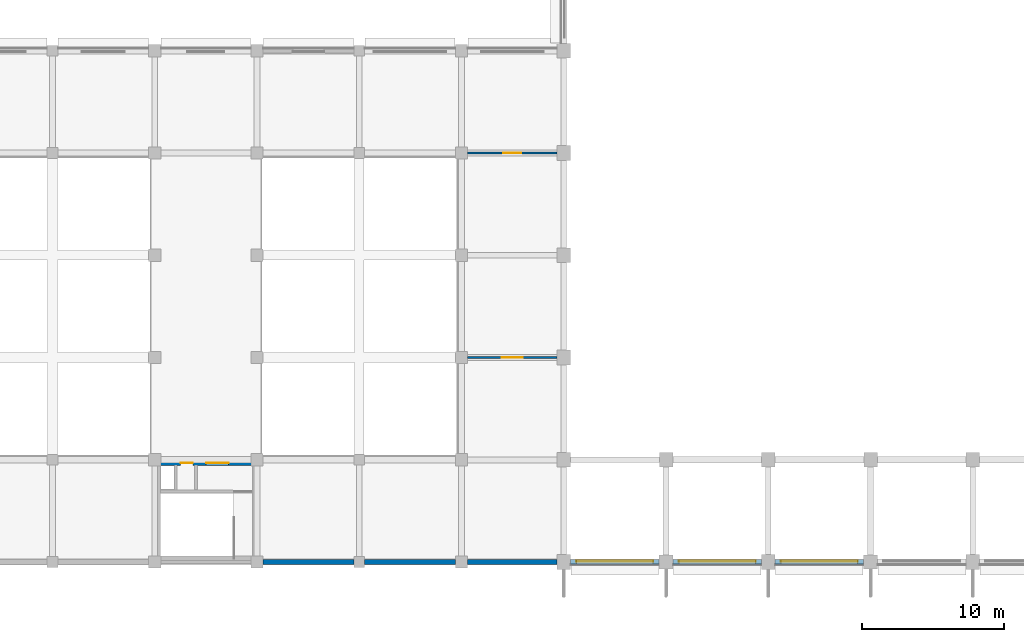
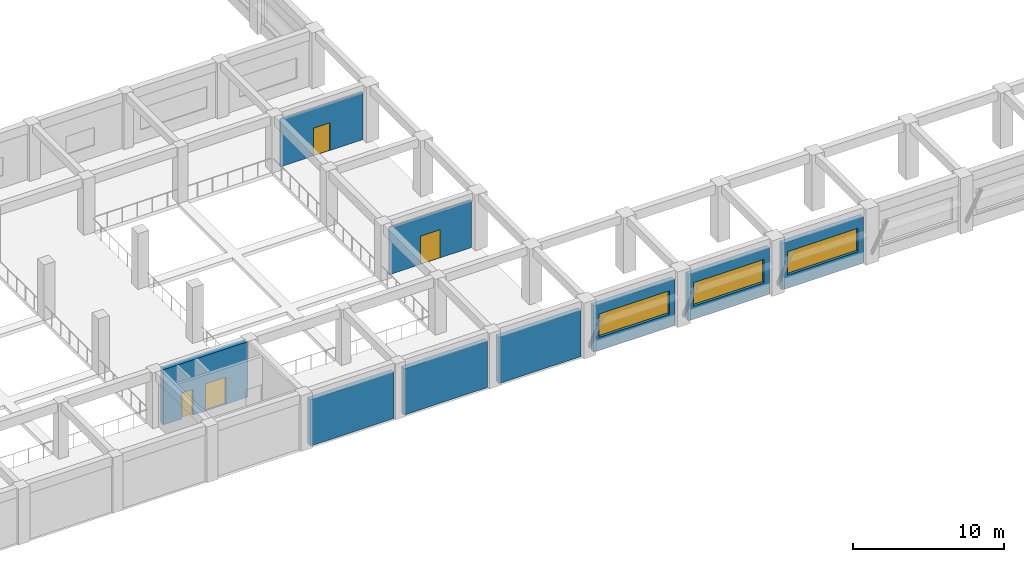
# One storey, part 40 of 61: 9 walls, 4 doors, 3 windows, 7 openings.
"""IFC4 building model written with IfcOpenShell, lengths in metres."""

from ifc_helpers import new_model, si_unit, direction, frame, frame_2d, origin, place, context, subcontext, project, spatial, rectangle, extrude, material, layer, layer_set, type_object, element, fill, save


model = new_model("IFC4")

# Units and contexts
model_context = context("Model", 3, precision=1e-05, world=origin(), true_north=direction((0.0, 1.0)))
body_context = subcontext(model_context, "Body", "Model", "MODEL_VIEW")
ifc_project = project(units=[si_unit("LENGTHUNIT", "METRE"), si_unit("AREAUNIT", "SQUARE_METRE"), si_unit("VOLUMEUNIT", "CUBIC_METRE"), si_unit("PLANEANGLEUNIT", "RADIAN"), si_unit("MASSUNIT", "GRAM", prefix="KILO")], contexts=[model_context])

# Site, building, storey
site_placement = place(None, origin())
site = spatial("IfcSite", under=ifc_project, at=site_placement, CompositionType="ELEMENT")
building_placement = place(site_placement, origin())
building = spatial("IfcBuilding", under=site, at=building_placement, Name="Thalmaran Polytechnic", CompositionType="ELEMENT")
storey_placement = place(building_placement, frame((0.0, 0.0, 9.89990234375)))
storey = spatial("IfcBuildingStorey", under=building, at=storey_placement, Name="L02", CompositionType="ELEMENT", Elevation=9.89990234375)

# Wall, opening, window
ifc_material_1 = material(Name="Precast concrete C40/50", Category="concrete")
ifc_layer_1 = layer(ifc_material_1, 0.360107421875, Name="Precast concrete C40/50")
ifc_layer_set_1 = layer_set([ifc_layer_1], Name="Precast concrete C40/50")
wall_type_1 = type_object("IfcWallType", Name="WL-EW01", PredefinedType="STANDARD", material=ifc_layer_set_1)
wall_1_placement = place(storey_placement, frame((129.10009765625, 0.0, 0.0), z_axis=(0.0, 0.0, 1.0), x_axis=(-1.0, 0.0, 0.0)))
wall_1 = element("IfcWall", 1, at=wall_1_placement, inside=storey, type_object=wall_type_1, Name="Exterior Precast Facade Wall L02-075", PredefinedType="STANDARD", context=body_context, shape_type="SweptSolid", body=[
    extrude(rectangle(XDim=6.22509765625, YDim=0.360107421875, at=frame_2d((3.112548828125, 0.0))), origin(), (0.0, 0.0, 1.0), 3.7451171875),
])
opening_1_placement = place(wall_1_placement, frame((0.41259765625, 0.0, 1.050048828125)))
opening_1 = element("IfcOpeningElement", 2, at=opening_1_placement, cuts=wall_1, Name="Opening CL01", PredefinedType="OPENING", context=body_context, shape_type="SweptSolid", body=[
    extrude(rectangle(XDim=5.39990234375, YDim=1.89990234375, at=frame_2d((2.699951171875, 0.949951171875))), frame((0.0, 0.18994140625, 0.0), z_axis=(0.0, -1.0, 0.0), x_axis=(1.0, 0.0, 0.0)), (0.0, 0.0, 1.0), 0.380126953125),
])
ifc_material_2 = material(Name="Thermally broken aluminium and double low-E glass", Category="aluminium")
window_type = type_object("IfcWindowType", Name="WN-CL01", PartitioningType="TRIPLE_PANEL_HORIZONTAL", PredefinedType="WINDOW", material=ifc_material_2)
window_1_placement = place(opening_1_placement, origin())
window_1 = element("IfcWindow", 3, at=window_1_placement, inside=storey, type_object=window_type, Name="Workshop Clerestory Window W-0275", OverallHeight=1.89990234375, OverallWidth=5.39990234375, PartitioningType="SINGLE_PANEL", PredefinedType="WINDOW", context=body_context, shape_type="SweptSolid", body=[
    extrude(rectangle(XDim=5.39990234375, YDim=1.89990234375, at=frame_2d((2.699951171875, 0.949951171875))), frame((0.0, -0.02001953125, 0.0), z_axis=(0.0, -1.0, 0.0), x_axis=(1.0, 0.0, 0.0)), (0.0, 0.0, 1.0), 0.06005859375),
])
fill(opening_1, window_1)

wall_2_placement = place(storey_placement, frame((121.925048828125, 0.0, 0.0), z_axis=(0.0, 0.0, 1.0), x_axis=(-1.0, 0.0, 0.0)))
wall_2 = element("IfcWall", 4, at=wall_2_placement, inside=storey, type_object=wall_type_1, Name="Exterior Precast Facade Wall L02-076", PredefinedType="STANDARD", context=body_context, shape_type="SweptSolid", body=[
    extrude(rectangle(XDim=6.22509765625, YDim=0.360107421875, at=frame_2d((3.112548828125, 0.0))), origin(), (0.0, 0.0, 1.0), 3.7451171875),
])
opening_2_placement = place(wall_2_placement, frame((0.41259765625, 0.0, 1.050048828125)))
opening_2 = element("IfcOpeningElement", 5, at=opening_2_placement, cuts=wall_2, Name="Opening CL01", PredefinedType="OPENING", context=body_context, shape_type="SweptSolid", body=[
    extrude(rectangle(XDim=5.39990234375, YDim=1.89990234375, at=frame_2d((2.699951171875, 0.949951171875))), frame((0.0, 0.18994140625, 0.0), z_axis=(0.0, -1.0, 0.0), x_axis=(1.0, 0.0, 0.0)), (0.0, 0.0, 1.0), 0.380126953125),
])
window_2_placement = place(opening_2_placement, origin())
window_2 = element("IfcWindow", 6, at=window_2_placement, inside=storey, type_object=window_type, Name="Workshop Clerestory Window W-0276", OverallHeight=1.89990234375, OverallWidth=5.39990234375, PartitioningType="SINGLE_PANEL", PredefinedType="WINDOW", context=body_context, shape_type="SweptSolid", body=[
    extrude(rectangle(XDim=5.39990234375, YDim=1.89990234375, at=frame_2d((2.699951171875, 0.949951171875))), frame((0.0, -0.02001953125, 0.0), z_axis=(0.0, -1.0, 0.0), x_axis=(1.0, 0.0, 0.0)), (0.0, 0.0, 1.0), 0.06005859375),
])
fill(opening_2, window_2)

wall_3_placement = place(storey_placement, frame((114.699951171875, 0.0, 0.0), z_axis=(0.0, 0.0, 1.0), x_axis=(-1.0, 0.0, 0.0)))
wall_3 = element("IfcWall", 7, at=wall_3_placement, inside=storey, type_object=wall_type_1, Name="Exterior Precast Facade Wall L02-077", PredefinedType="STANDARD", context=body_context, shape_type="SweptSolid", body=[
    extrude(rectangle(XDim=6.224853515625, YDim=0.360107421875, at=frame_2d((3.1123046875, 0.0))), origin(), (0.0, 0.0, 1.0), 3.7451171875),
])
opening_3_placement = place(wall_3_placement, frame((0.41259765625, 0.0, 1.050048828125)))
opening_3 = element("IfcOpeningElement", 8, at=opening_3_placement, cuts=wall_3, Name="Opening CL01", PredefinedType="OPENING", context=body_context, shape_type="SweptSolid", body=[
    extrude(rectangle(XDim=5.39990234375, YDim=1.89990234375, at=frame_2d((2.699951171875, 0.949951171875))), frame((0.0, 0.18994140625, 0.0), z_axis=(0.0, -1.0, 0.0), x_axis=(1.0, 0.0, 0.0)), (0.0, 0.0, 1.0), 0.380126953125),
])
window_3_placement = place(opening_3_placement, origin())
window_3 = element("IfcWindow", 9, at=window_3_placement, inside=storey, type_object=window_type, Name="Workshop Clerestory Window W-0277", OverallHeight=1.89990234375, OverallWidth=5.39990234375, PartitioningType="SINGLE_PANEL", PredefinedType="WINDOW", context=body_context, shape_type="SweptSolid", body=[
    extrude(rectangle(XDim=5.39990234375, YDim=1.89990234375, at=frame_2d((2.699951171875, 0.949951171875))), frame((0.0, -0.02001953125, 0.0), z_axis=(0.0, -1.0, 0.0), x_axis=(1.0, 0.0, 0.0)), (0.0, 0.0, 1.0), 0.06005859375),
])
fill(opening_3, window_3)

# Walls
wall_4_placement = place(storey_placement, frame((107.52490234375, 0.0, 0.0), z_axis=(0.0, 0.0, 1.0), x_axis=(-1.0, 0.0, 0.0)))
element("IfcWall", 10, at=wall_4_placement, inside=storey, type_object=wall_type_1, Name="Exterior Precast Facade Wall L02-078", PredefinedType="STANDARD", context=body_context, shape_type="SweptSolid", body=[
    extrude(rectangle(XDim=6.2998046875, YDim=0.360107421875, at=frame_2d((3.14990234375, 0.0))), origin(), (0.0, 0.0, 1.0), 3.7451171875),
])
wall_5_placement = place(storey_placement, frame((100.375, 0.0, 0.0), z_axis=(0.0, 0.0, 1.0), x_axis=(-1.0, 0.0, 0.0)))
element("IfcWall", 11, at=wall_5_placement, inside=storey, type_object=wall_type_1, Name="Exterior Precast Facade Wall L02-079", PredefinedType="STANDARD", context=body_context, shape_type="SweptSolid", body=[
    extrude(rectangle(XDim=6.39990234375, YDim=0.360107421875, at=frame_2d((3.199951171875, 0.0))), origin(), (0.0, 0.0, 1.0), 3.7451171875),
])
wall_6_placement = place(storey_placement, frame((93.22509765625, 0.0, 0.0), z_axis=(0.0, 0.0, 1.0), x_axis=(-1.0, 0.0, 0.0)))
element("IfcWall", 12, at=wall_6_placement, inside=storey, type_object=wall_type_1, Name="Exterior Precast Facade Wall L02-080", PredefinedType="STANDARD", context=body_context, shape_type="SweptSolid", body=[
    extrude(rectangle(XDim=6.400146484375, YDim=0.360107421875, at=frame_2d((3.2001953125, 0.0))), origin(), (0.0, 0.0, 1.0), 3.7451171875),
])

# Wall, opening, door
ifc_material_3 = material(Name="Gypsum acoustic partition")
ifc_layer_2 = layer(ifc_material_3, 0.14501953125, Name="Gypsum acoustic partition")
ifc_layer_set_2 = layer_set([ifc_layer_2], Name="Gypsum acoustic partition")
wall_type_2 = type_object("IfcWallType", Name="WL-IW06", PredefinedType="PARTITIONING", material=ifc_layer_set_2)
wall_7_placement = place(storey_placement, frame((101.22998046875, 28.800048828125, 0.0), z_axis=(0.0, 0.0, 1.0), x_axis=(1.0, 0.0, 0.0)))
wall_7 = element("IfcWall", 13, at=wall_7_placement, inside=storey, type_object=wall_type_2, Name="Interior Partition IW06 L02-096", PredefinedType="PARTITIONING", context=body_context, shape_type="SweptSolid", body=[
    extrude(rectangle(XDim=6.2900390625, YDim=0.14501953125, at=frame_2d((3.14501953125, 0.0))), origin(), (0.0, 0.0, 1.0), 3.840087890625),
])
opening_4_placement = place(wall_7_placement, frame((2.5048828125, 0.0, 0.0)))
opening_4 = element("IfcOpeningElement", 14, at=opening_4_placement, cuts=wall_7, Name="Opening D-L02-032-3-03-1", PredefinedType="OPENING", context=body_context, shape_type="SweptSolid", body=[
    extrude(rectangle(XDim=1.280029296875, YDim=2.239990234375, at=frame_2d((0.64013671875, 1.1201171875))), frame((0.0, 0.08251953125, 0.0), z_axis=(0.0, -1.0, 0.0), x_axis=(1.0, 0.0, 0.0)), (0.0, 0.0, 1.0), 0.1650390625),
])
ifc_material_4 = material(Name="Powder-coated fire-rated steel", Category="steel")
door_type_1 = type_object("IfcDoorType", Name="DR-ZD10", OperationType="NOTDEFINED", PredefinedType="DOOR", material=ifc_material_4)
door_1_placement = place(opening_4_placement, origin())
door_1 = element("IfcDoor", 15, at=door_1_placement, inside=storey, type_object=door_type_1, Name="Audio-Visual Control Room L02-03 Door 1", OperationType="SINGLE_SWING_LEFT", OverallHeight=2.239990234375, OverallWidth=1.280029296875, PredefinedType="DOOR", context=body_context, shape_type="SweptSolid", body=[
    extrude(rectangle(XDim=1.280029296875, YDim=2.239990234375, at=frame_2d((0.64013671875, 1.1201171875))), frame((0.0, 0.02490234375, 0.0), z_axis=(0.0, -1.0, 0.0), x_axis=(1.0, 0.0, 0.0)), (0.0, 0.0, 1.0), 0.050048828125),
])
fill(opening_4, door_1)

ifc_layer_3 = layer(ifc_material_3, 0.114990234375, Name="Gypsum acoustic partition")
ifc_layer_set_3 = layer_set([ifc_layer_3], Name="Gypsum acoustic partition")
wall_type_3 = type_object("IfcWallType", Name="WL-IW08", PredefinedType="PARTITIONING", material=ifc_layer_set_3)
wall_8_placement = place(storey_placement, frame((101.22998046875, 14.39990234375, 0.0), z_axis=(0.0, 0.0, 1.0), x_axis=(1.0, 0.0, 0.0)))
wall_8 = element("IfcWall", 16, at=wall_8_placement, inside=storey, type_object=wall_type_3, Name="Interior Partition IW08 L02-095", PredefinedType="PARTITIONING", context=body_context, shape_type="SweptSolid", body=[
    extrude(rectangle(XDim=6.2900390625, YDim=0.114990234375, at=frame_2d((3.14501953125, 0.0))), origin(), (0.0, 0.0, 1.0), 3.840087890625),
])
opening_5_placement = place(wall_8_placement, frame((2.405029296875, 0.0, 0.0)))
opening_5 = element("IfcOpeningElement", 17, at=opening_5_placement, cuts=wall_8, Name="Opening D-L02-058-3-02-1", PredefinedType="OPENING", context=body_context, shape_type="SweptSolid", body=[
    extrude(rectangle(XDim=1.47998046875, YDim=2.280029296875, at=frame_2d((0.739990234375, 1.14013671875))), frame((0.0, 0.0673828125, 0.0), z_axis=(0.0, -1.0, 0.0), x_axis=(1.0, 0.0, 0.0)), (0.0, 0.0, 1.0), 0.135009765625),
])
door_type_2 = type_object("IfcDoorType", Name="DR-ZD09", OperationType="NOTDEFINED", PredefinedType="DOOR", material=ifc_material_4)
door_2_placement = place(opening_5_placement, origin())
door_2 = element("IfcDoor", 18, at=door_2_placement, inside=storey, type_object=door_type_2, Name="Lecture Preparation Studio L02-02 Door 1", OperationType="SINGLE_SWING_LEFT", OverallHeight=2.280029296875, OverallWidth=1.47998046875, PredefinedType="DOOR", context=body_context, shape_type="SweptSolid", body=[
    extrude(rectangle(XDim=1.47998046875, YDim=2.280029296875, at=frame_2d((0.739990234375, 1.14013671875))), frame((0.0, 0.02490234375, 0.0), z_axis=(0.0, -1.0, 0.0), x_axis=(1.0, 0.0, 0.0)), (0.0, 0.0, 1.0), 0.050048828125),
])
fill(opening_5, door_2)

# Wall, openings, doors
ifc_material_5 = material(Name="Concrete C50/60", Category="concrete")
ifc_layer_4 = layer(ifc_material_5, 0.3798828125, Name="Concrete C50/60")
ifc_layer_set_4 = layer_set([ifc_layer_4], Name="Concrete C50/60")
wall_type_4 = type_object("IfcWallType", Name="WL-SW02", PredefinedType="SHEAR", material=ifc_layer_set_4)
wall_9_placement = place(storey_placement, frame((79.610107421875, 6.97998046875, 0.0), z_axis=(0.0, 0.0, 1.0), x_axis=(1.0, 0.0, 0.0)))
wall_9 = element("IfcWall", 19, at=wall_9_placement, inside=storey, type_object=wall_type_4, Name="Core C7 North Shear Wall L02", PredefinedType="SHEAR", context=body_context, shape_type="SweptSolid", body=[
    extrude(rectangle(XDim=6.4599609375, YDim=0.3798828125, at=frame_2d((3.22998046875, 0.0))), origin(), (0.0, 0.0, 1.0), 4.47998046875),
])
opening_6_placement = place(wall_9_placement, frame((1.419921875, 0.0, 0.0)))
opening_6 = element("IfcOpeningElement", 20, at=opening_6_placement, cuts=wall_9, Name="Opening DR-C7-L02-R", PredefinedType="OPENING", context=body_context, shape_type="SweptSolid", body=[
    extrude(rectangle(XDim=0.85009765625, YDim=2.10009765625, at=frame_2d((0.425048828125, 1.050048828125))), frame((0.0, 0.199951171875, 0.0), z_axis=(0.0, -1.0, 0.0), x_axis=(1.0, 0.0, 0.0)), (0.0, 0.0, 1.0), 0.39990234375),
])
opening_7_placement = place(wall_9_placement, frame((3.199951171875, 0.0, 0.0)))
opening_7 = element("IfcOpeningElement", 21, at=opening_7_placement, cuts=wall_9, Name="Opening LD-C7-L02", PredefinedType="OPENING", context=body_context, shape_type="SweptSolid", body=[
    extrude(rectangle(XDim=1.60009765625, YDim=2.199951171875, at=frame_2d((0.800048828125, 1.10009765625))), frame((0.0, 0.199951171875, 0.0), z_axis=(0.0, -1.0, 0.0), x_axis=(1.0, 0.0, 0.0)), (0.0, 0.0, 1.0), 0.39990234375),
])
door_type_3 = type_object("IfcDoorType", Name="DR-FD05", OperationType="NOTDEFINED", PredefinedType="DOOR", material=ifc_material_4)
door_3_placement = place(opening_7_placement, frame((1.60009765625, 0.0, 0.0), z_axis=(0.0, 0.0, 1.0), x_axis=(-1.0, 0.0, 0.0)))
door_3 = element("IfcDoor", 22, at=door_3_placement, inside=storey, type_object=door_type_3, Name="Stair Lobby Fire Door C7 L02", OperationType="DOUBLE_DOOR_SINGLE_SWING", OverallHeight=2.199951171875, OverallWidth=1.60009765625, PredefinedType="DOOR", context=body_context, shape_type="SweptSolid", body=[
    extrude(rectangle(XDim=1.60009765625, YDim=2.199951171875, at=frame_2d((0.800048828125, 1.10009765625))), frame((0.0, 0.02490234375, 0.0), z_axis=(0.0, -1.0, 0.0), x_axis=(1.0, 0.0, 0.0)), (0.0, 0.0, 1.0), 0.050048828125),
])
fill(opening_7, door_3)
door_type_4 = type_object("IfcDoorType", Name="DR-FD09", OperationType="NOTDEFINED", PredefinedType="DOOR", material=ifc_material_4)
door_4_placement = place(opening_6_placement, origin())
door_4 = element("IfcDoor", 23, at=door_4_placement, inside=storey, type_object=door_type_4, Name="Riser Access Fire Door C7 L02", OperationType="SINGLE_SWING_LEFT", OverallHeight=2.10009765625, OverallWidth=0.85009765625, PredefinedType="DOOR", context=body_context, shape_type="SweptSolid", body=[
    extrude(rectangle(XDim=0.85009765625, YDim=2.10009765625, at=frame_2d((0.425048828125, 1.050048828125))), frame((0.0, 0.02490234375, 0.0), z_axis=(0.0, -1.0, 0.0), x_axis=(1.0, 0.0, 0.0)), (0.0, 0.0, 1.0), 0.050048828125),
])
fill(opening_6, door_4)

save(model, "model.ifc")
